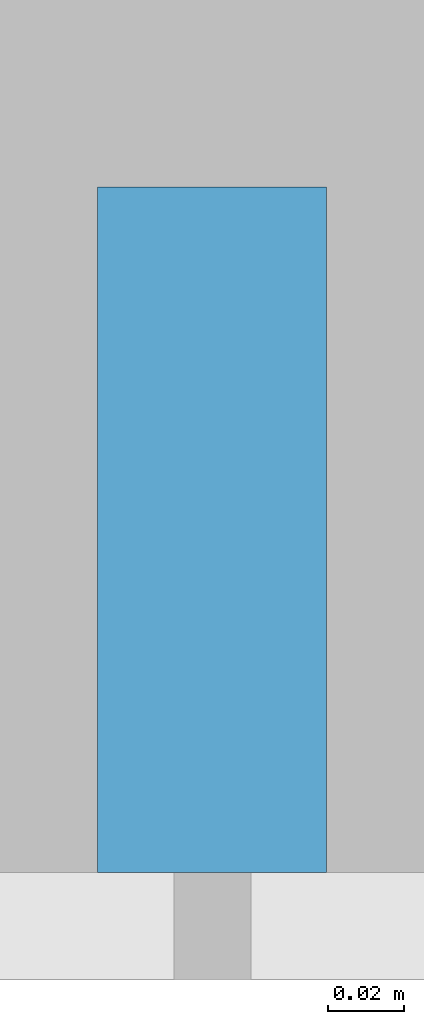
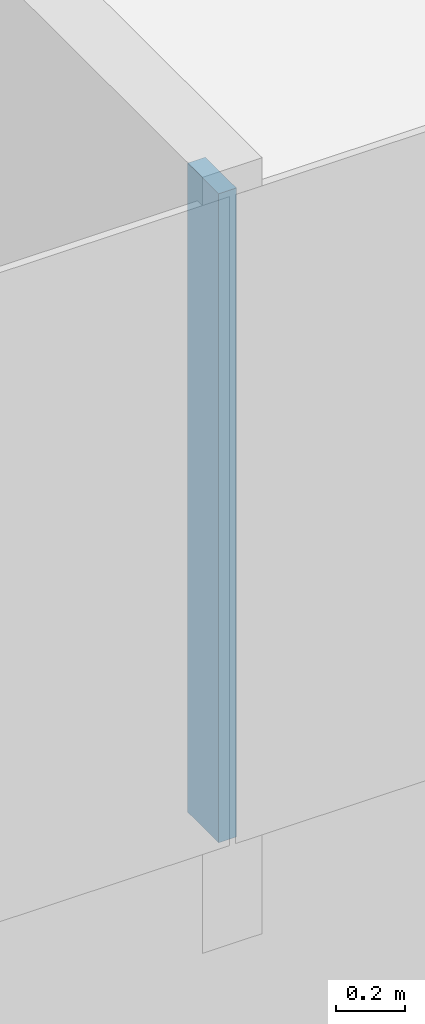
# One storey, part 5 of 26: 1 member, 1 element without a shape of its own.
"""IFC4 building model written with IfcOpenShell, lengths in metres."""

from ifc_helpers import new_model, si_unit, direction, frame, origin, origin_2d, place, context, subcontext, project, spatial, rectangle, extrude, material, layer, layer_set, material_profile, profile_set, type_object, element, aggregate, save


model = new_model("IFC4")

# Units and contexts
model_context = context("Model", 3, precision=1e-05, world=origin(), true_north=direction((0.0, 1.0)))
body_context = subcontext(model_context, "Body", "Model", "MODEL_VIEW")
ifc_project = project(units=[si_unit("LENGTHUNIT", "METRE"), si_unit("AREAUNIT", "SQUARE_METRE"), si_unit("VOLUMEUNIT", "CUBIC_METRE"), si_unit("PLANEANGLEUNIT", "RADIAN"), si_unit("MASSUNIT", "GRAM", prefix="KILO")], contexts=[model_context])

# Site, building, storey
site_placement = place(None, origin())
site = spatial("IfcSite", under=ifc_project, at=site_placement, CompositionType="ELEMENT")
building_placement = place(site_placement, origin())
building = spatial("IfcBuilding", under=site, at=building_placement, Name="Hakoniwa Tower and Hamabe Station Hall", CompositionType="ELEMENT")
storey_placement = place(building_placement, frame((0.0, 0.0, 153.39990234375)))
storey = spatial("IfcBuildingStorey", under=building, at=storey_placement, Name="L43", CompositionType="ELEMENT", Elevation=153.39990234375)

# Curtain wall, member
ifc_material_1 = material(Name="Dark low-e laminated glass", Category="glass")
ifc_layer = layer(ifc_material_1, 0.199951171875)
ifc_layer_set = layer_set([ifc_layer], Name="CW-1 UNITISED GUEST")
curtain_wall_type = type_object("IfcCurtainWallType", Name="CW-1 UNITISED GUEST", PredefinedType="NOTDEFINED", material=ifc_layer_set)
curtain_wall_placement = place(storey_placement, origin())
curtain_wall = element("IfcCurtainWall", 1, at=curtain_wall_placement, inside=storey, type_object=curtain_wall_type, Name="CW-1 curtain wall", PredefinedType="NOTDEFINED")
ifc_material_2 = material(Name="Aluminium 6063-T5 black anodised", Category="aluminium")
ifc_material_profile = material_profile(ifc_material_2, rectangle(XDim=0.06005859375, YDim=0.179931640625, at=origin_2d()), Name="CW-1 MULLION 60X180")
ifc_profile_set = profile_set([ifc_material_profile], Name="Aluminium 6063-T5 black anodised")
member_type = type_object("IfcMemberType", Name="CW-1 MULLION 60X180", PredefinedType="MULLION", material=ifc_profile_set)
member_placement = place(storey_placement, frame((8.39990234375, -19.181884765625, 0.35009765625), z_axis=(0.0, 0.0, 1.0), x_axis=(1.0, 0.0, 0.0)))
member = element("IfcMember", 2, at=member_placement, type_object=member_type, Name="CW-1 mullion", PredefinedType="MULLION", context=body_context, shape_type="SweptSolid", body=[
    extrude(rectangle(XDim=0.06005859375, YDim=0.179931640625, at=origin_2d()), origin(), (0.0, 0.0, 1.0), 2.300048828125),
])
aggregate(curtain_wall, [member])

save(model, "model.ifc")
